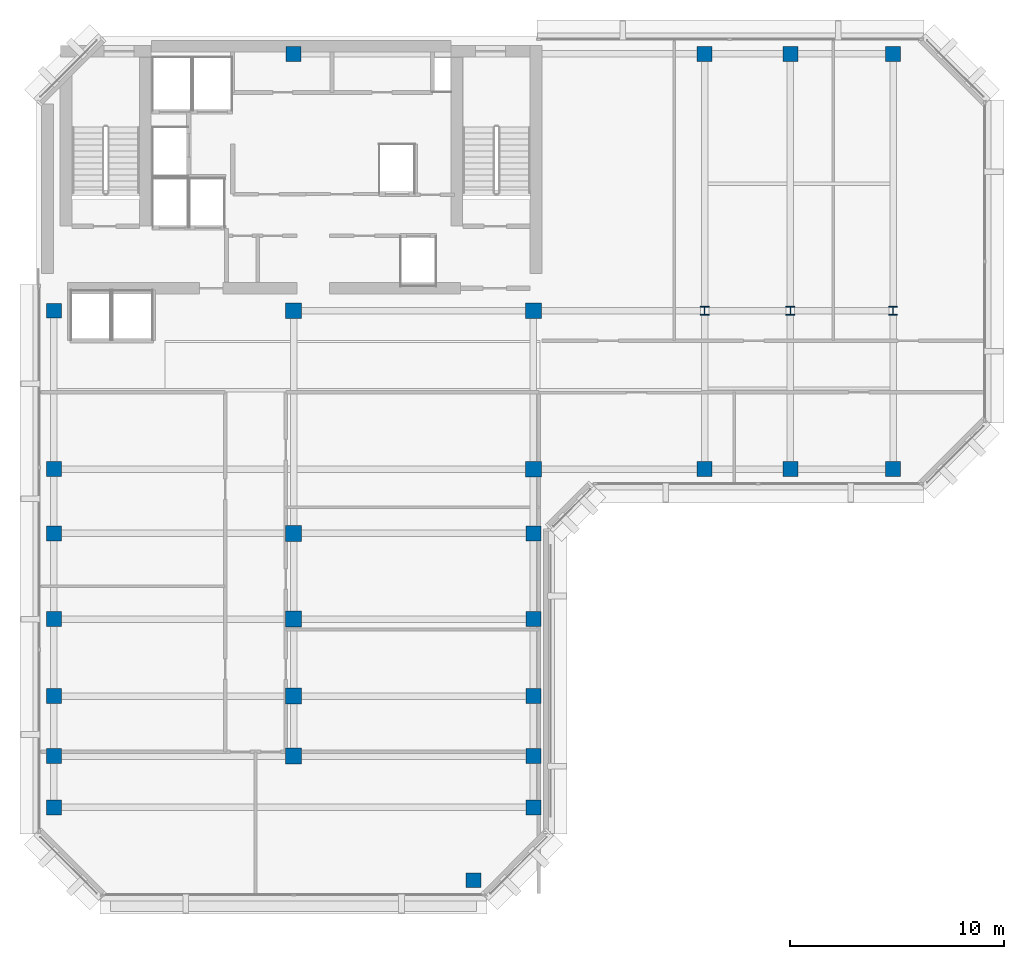
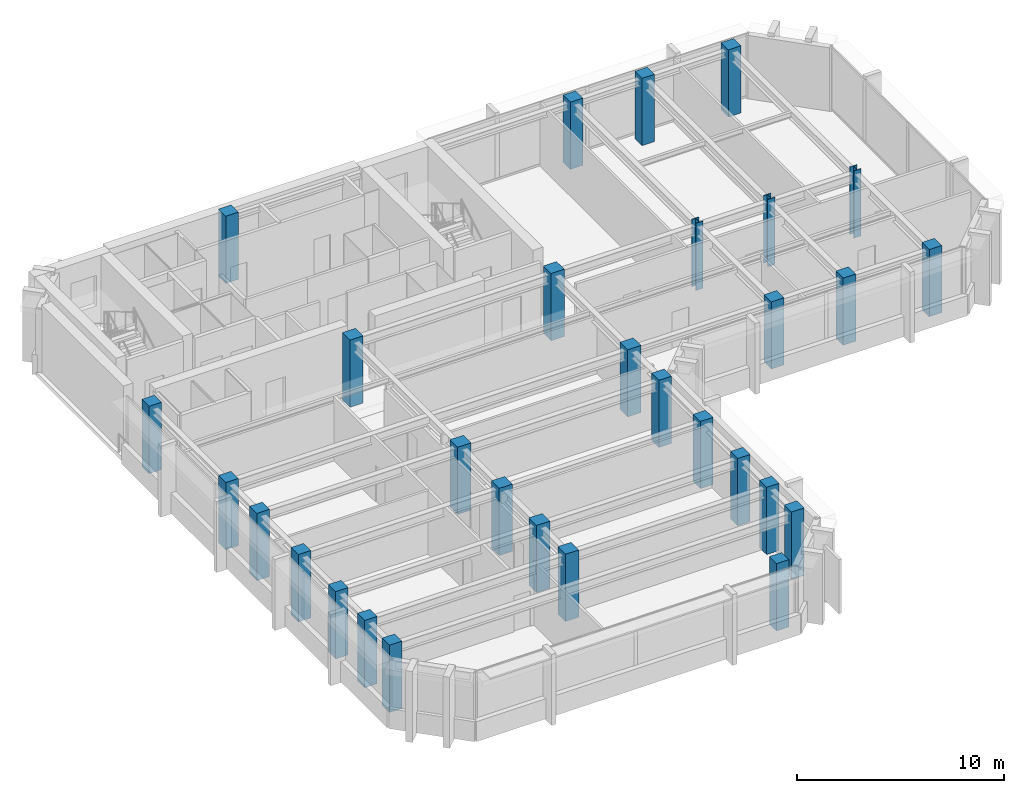
# One storey, part 1 of 11: 30 columns.
"""IFC4 building model written with IfcOpenShell, lengths in metres."""

from ifc_helpers import new_model, si_unit, direction, frame, origin, origin_2d, place, context, subcontext, project, spatial, rectangle, i_section, extrude, material, material_profile, profile_set, type_object, element, save


model = new_model("IFC4")

# Units and contexts
model_context = context("Model", 3, precision=1e-05, world=origin(), true_north=direction((0.0, 1.0)))
body_context = subcontext(model_context, "Body", "Model", "MODEL_VIEW")
ifc_project = project(units=[si_unit("LENGTHUNIT", "METRE"), si_unit("AREAUNIT", "SQUARE_METRE"), si_unit("VOLUMEUNIT", "CUBIC_METRE"), si_unit("PLANEANGLEUNIT", "RADIAN"), si_unit("MASSUNIT", "GRAM", prefix="KILO")], contexts=[model_context])

# Site, building, storey
site_placement = place(None, origin())
site = spatial("IfcSite", under=ifc_project, at=site_placement, CompositionType="ELEMENT")
building_placement = place(site_placement, origin())
building = spatial("IfcBuilding", under=site, at=building_placement, Name="Kefirva Bronze Tower", CompositionType="ELEMENT")
storey_placement = place(building_placement, frame((0.0, 0.0, 299.969970703125)))
storey = spatial("IfcBuildingStorey", under=building, at=storey_placement, Name="L73", CompositionType="ELEMENT", Elevation=299.969970703125)

# Columns
ifc_material_1 = material(Name="Concrete C50/60", Category="concrete")
ifc_material_profile_1 = material_profile(ifc_material_1, rectangle(XDim=0.699951171875, YDim=0.699951171875, at=origin_2d()), Name="RC 700x700")
ifc_profile_set_1 = profile_set([ifc_material_profile_1], Name="Concrete C50/60")
column_type_1 = type_object("IfcColumnType", Name="RC Column 700x700 Ext", PredefinedType="COLUMN", material=ifc_profile_set_1)
for number, where, z_axis, x_axis, name in (
    (1, (0.800048828125, 10.0, 0.0), (0.0, 0.0, 1.0), (1.0, 0.0, 0.0), "L73 Column C008_100"),
    (2, (0.800048828125, 12.39990234375, 0.0), (0.0, 0.0, 1.0), (1.0, 0.0, 0.0), "L73 Column C008_124"),
    (3, (0.800048828125, 15.199951171875, 0.0), (0.0, 0.0, 1.0), (1.0, 0.0, 0.0), "L73 Column C008_152"),
    (4, (0.800048828125, 18.800048828125, 0.0), (0.0, 0.0, 1.0), (1.0, 0.0, 0.0), "L73 Column C008_188"),
    (5, (0.800048828125, 22.800048828125, 0.0), (0.0, 0.0, 1.0), (1.0, 0.0, 0.0), "L73 Column C008_228"),
    (6, (0.800048828125, 25.800048828125, 0.0), (0.0, 0.0, 1.0), (1.0, 0.0, 0.0), "L73 Column C008_258"),
    (7, (0.800048828125, 33.199951171875, 0.0), (0.0, 0.0, 1.0), (1.0, 0.0, 0.0), "L73 Column C008_332"),
    (8, (12.0, 45.199951171875, 0.0), (0.0, 0.0, 1.0), (1.0, 0.0, 0.0), "L73 Column C120_452"),
    (9, (20.39990234375, 6.60009765625, 0.0), (0.0, 0.0, 1.0), (1.0, 0.0, 0.0), "L73 Column C204_066"),
    (10, (23.199951171875, 10.0, 0.0), (0.0, 0.0, 1.0), (1.0, 0.0, 0.0), "L73 Column C232_100"),
    (11, (23.199951171875, 12.39990234375, 0.0), (0.0, 0.0, 1.0), (1.0, 0.0, 0.0), "L73 Column C232_124"),
    (12, (23.199951171875, 15.199951171875, 0.0), (0.0, 0.0, 1.0), (1.0, 0.0, 0.0), "L73 Column C232_152"),
    (13, (23.199951171875, 18.800048828125, 0.0), (0.0, 0.0, 1.0), (1.0, 0.0, 0.0), "L73 Column C232_188"),
    (14, (23.199951171875, 22.800048828125, 0.0), (0.0, 0.0, 1.0), (1.0, 0.0, 0.0), "L73 Column C232_228"),
    (15, (31.199951171875, 25.800048828125, 0.0), (0.0, 0.0, 1.0), (1.0, 0.0, 0.0), "L73 Column C312_258"),
    (16, (31.199951171875, 45.199951171875, 0.0), (0.0, 0.0, 1.0), (1.0, 0.0, 0.0), "L73 Column C312_452"),
    (17, (35.199951171875, 25.800048828125, 0.0), (0.0, 0.0, 1.0), (1.0, 0.0, 0.0), "L73 Column C352_258"),
    (18, (35.199951171875, 45.199951171875, 0.0), (0.0, 0.0, 1.0), (1.0, 0.0, 0.0), "L73 Column C352_452"),
    (19, (40.0, 25.800048828125, 0.0), (0.0, 0.0, 1.0), (1.0, 0.0, 0.0), "L73 Column C400_258"),
    (20, (40.0, 45.199951171875, 0.0), (0.0, 0.0, 1.0), (1.0, 0.0, 0.0), "L73 Column C400_452"),
):
    element("IfcColumn", number, at=place(storey_placement, frame(where, z_axis=z_axis, x_axis=x_axis)), inside=storey, type_object=column_type_1, Name=name, PredefinedType="COLUMN", context=body_context, shape_type="SweptSolid", body=[
        extrude(rectangle(XDim=0.699951171875, YDim=0.699951171875, at=origin_2d()), origin(), (0.0, 0.0, 1.0), 3.9599609375),
    ])
ifc_material_profile_2 = material_profile(ifc_material_1, rectangle(XDim=0.739990234375, YDim=0.739990234375, at=origin_2d()), Name="RC 740x740")
ifc_profile_set_2 = profile_set([ifc_material_profile_2], Name="Concrete C50/60")
column_type_2 = type_object("IfcColumnType", Name="RC Column 740x740 Int", PredefinedType="COLUMN", material=ifc_profile_set_2)
for number, where, z_axis, x_axis, name in (
    (21, (12.0, 12.39990234375, 0.0), (0.0, 0.0, 1.0), (1.0, 0.0, 0.0), "L73 Column C120_124"),
    (22, (12.0, 15.199951171875, 0.0), (0.0, 0.0, 1.0), (1.0, 0.0, 0.0), "L73 Column C120_152"),
    (23, (12.0, 18.800048828125, 0.0), (0.0, 0.0, 1.0), (1.0, 0.0, 0.0), "L73 Column C120_188"),
    (24, (12.0, 22.800048828125, 0.0), (0.0, 0.0, 1.0), (1.0, 0.0, 0.0), "L73 Column C120_228"),
    (25, (12.0, 33.199951171875, 0.0), (0.0, 0.0, 1.0), (1.0, 0.0, 0.0), "L73 Column C120_332"),
    (26, (23.199951171875, 25.800048828125, 0.0), (0.0, 0.0, 1.0), (1.0, 0.0, 0.0), "L73 Column C232_258"),
    (27, (23.199951171875, 33.199951171875, 0.0), (0.0, 0.0, 1.0), (1.0, 0.0, 0.0), "L73 Column C232_332"),
):
    element("IfcColumn", number, at=place(storey_placement, frame(where, z_axis=z_axis, x_axis=x_axis)), inside=storey, type_object=column_type_2, Name=name, PredefinedType="COLUMN", context=body_context, shape_type="SweptSolid", body=[
        extrude(rectangle(XDim=0.739990234375, YDim=0.739990234375, at=origin_2d()), origin(), (0.0, 0.0, 1.0), 3.9599609375),
    ])
ifc_material_2 = material(Name="Steel S460", Category="steel")
ifc_material_profile_3 = material_profile(ifc_material_2, i_section(OverallWidth=0.406005859375, OverallDepth=0.416015625, WebThickness=0.02197265625, FlangeThickness=0.035888671875, at=origin_2d()), Name="HD 400x382")
ifc_profile_set_3 = profile_set([ifc_material_profile_3], Name="Steel S460")
column_type_3 = type_object("IfcColumnType", Name="Steel Column HD 400x382", PredefinedType="COLUMN", material=ifc_profile_set_3)
for number, where, z_axis, x_axis, name in (
    (28, (31.199951171875, 33.199951171875, 0.0), (0.0, 0.0, 1.0), (1.0, 0.0, 0.0), "L73 Column C312_332"),
    (29, (35.199951171875, 33.199951171875, 0.0), (0.0, 0.0, 1.0), (1.0, 0.0, 0.0), "L73 Column C352_332"),
    (30, (40.0, 33.199951171875, 0.0), (0.0, 0.0, 1.0), (1.0, 0.0, 0.0), "L73 Column C400_332"),
):
    element("IfcColumn", number, at=place(storey_placement, frame(where, z_axis=z_axis, x_axis=x_axis)), inside=storey, type_object=column_type_3, Name=name, PredefinedType="COLUMN", context=body_context, shape_type="SweptSolid", body=[
        extrude(i_section(OverallWidth=0.406005859375, OverallDepth=0.416015625, WebThickness=0.02197265625, FlangeThickness=0.035888671875, at=origin_2d()), origin(), (0.0, 0.0, 1.0), 3.9599609375),
    ])

save(model, "model.ifc")
